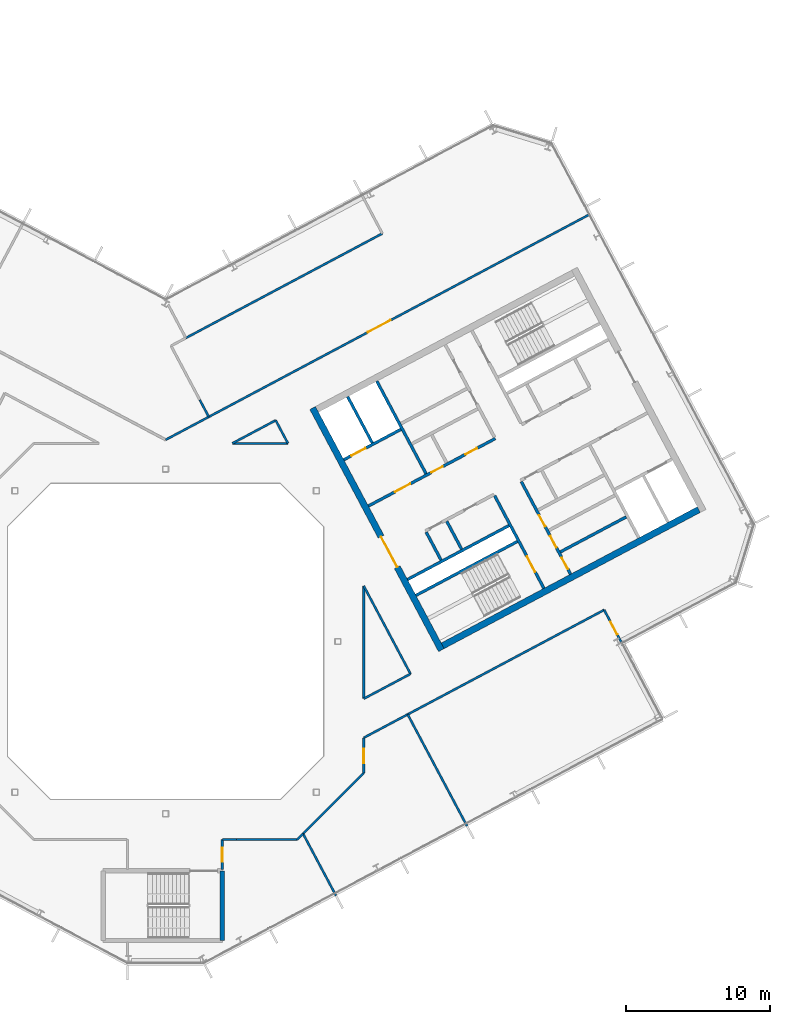
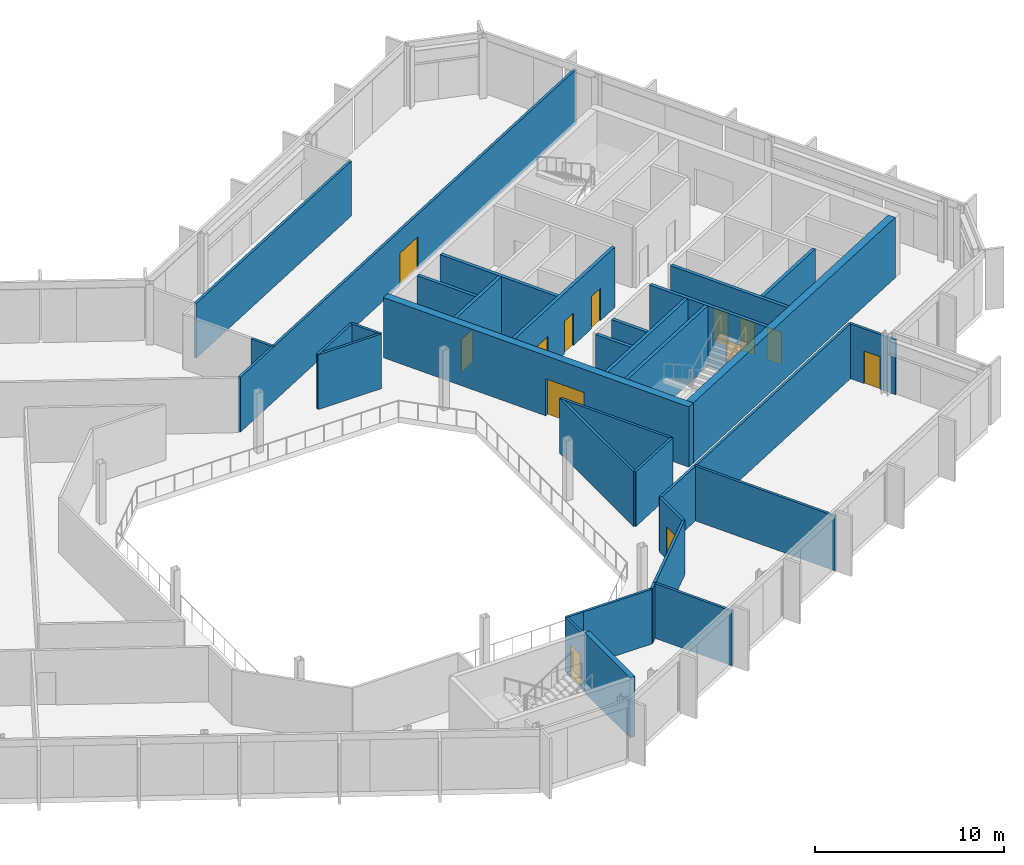
# One storey, part 16 of 26: 33 walls, 13 doors, 13 openings.
"""IFC4 building model written with IfcOpenShell, lengths in metres."""

import ifcopenshell
import ifcopenshell.guid

model = None  # the IFC model being written
_history = None  # IfcOwnerHistory: only IFC2X3 demands one
_inside = {}  # id of a spatial element -> (the spatial element, [elements in it])
_under = {}  # id of a project, library or spatial element -> (it, [spatial elements below it])
_declared = {}  # id of a project -> (the project, [libraries it declares])
_typed = {}  # id of a type object -> (the type object, [elements of that type])
_made_of = {}  # id of a material, layer set ... -> (it, [elements and type objects made of it])


def new_model(schema):
    """Start an empty IFC model of exactly this schema.

    Asked for "IFC4X3", IfcOpenShell would pick the latest addendum, in which some entities
    have other attributes; the version numbers below select the first issue.
    IFC2X3 requires an IfcOwnerHistory on every rooted entity: one is made here for all.
    """
    global model, _history
    if schema == "IFC4X3":
        model = ifcopenshell.file(schema_version=(4, 3, 0, 0))
    else:
        model = ifcopenshell.file(schema=schema)
    _inside.clear()
    _under.clear()
    _declared.clear()
    _typed.clear()
    _made_of.clear()
    _history = None
    if model.schema == "IFC2X3":
        org = make("IfcOrganization", Name="unknown")
        user = make(
            "IfcPersonAndOrganization",
            ThePerson=make("IfcPerson", FamilyName="unknown"),
            TheOrganization=org,
        )
        app = make(
            "IfcApplication",
            ApplicationDeveloper=org,
            Version="unknown",
            ApplicationFullName="unknown",
            ApplicationIdentifier="unknown",
        )
        _history = make(
            "IfcOwnerHistory",
            OwningUser=user,
            OwningApplication=app,
            ChangeAction="ADDED",
            CreationDate=0,
        )
    return model


def make(cls, **values):
    """One entity of the class cls with the attributes given. An attribute that is None is left unset."""
    return model.create_entity(
        cls, **{name: value for name, value in values.items() if value is not None}
    )


def rooted(cls, **values):
    """An entity with a GlobalId (a new one), such as an element, a storey or a relation."""
    return make(cls, GlobalId=ifcopenshell.guid.new(), OwnerHistory=_history, **values)


def si_unit(unit_type, name, prefix=None):
    """IfcSIUnit, for example si_unit("LENGTHUNIT", "METRE", prefix="MILLI")."""
    return make("IfcSIUnit", UnitType=unit_type, Prefix=prefix, Name=name)


def assignment(units):
    """IfcUnitAssignment: the units of a project."""
    return None if units is None else make("IfcUnitAssignment", Units=units)


def point(xyz):
    """IfcCartesianPoint."""
    return None if xyz is None else make("IfcCartesianPoint", Coordinates=xyz)


def direction(xyz):
    """IfcDirection."""
    return None if xyz is None else make("IfcDirection", DirectionRatios=xyz)


def frame(location, z_axis=None, x_axis=None):
    """IfcAxis2Placement3D, a coordinate frame: its origin and axes. An axis left out is left unset."""
    return make(
        "IfcAxis2Placement3D",
        Location=point(location),
        Axis=direction(z_axis),
        RefDirection=direction(x_axis),
    )


def frame_2d(location, x_axis=None):
    """IfcAxis2Placement2D, a coordinate frame in the plane: its origin and x axis."""
    return make(
        "IfcAxis2Placement2D", Location=point(location), RefDirection=direction(x_axis)
    )


def origin():
    """The frame at (0, 0, 0) with its axes left unset."""
    return frame((0.0, 0.0, 0.0))


def place(relative_to, where):
    """IfcLocalPlacement: puts the frame where relative to a parent placement (None: the world)."""
    return make(
        "IfcLocalPlacement", PlacementRelTo=relative_to, RelativePlacement=where
    )


def context(
    kind, dimensions, precision=None, world=None, true_north=None, identifier=None
):
    """IfcGeometricRepresentationContext, for example the 3D "Model" context."""
    return make(
        "IfcGeometricRepresentationContext",
        ContextIdentifier=identifier,
        ContextType=kind,
        CoordinateSpaceDimension=dimensions,
        Precision=precision,
        WorldCoordinateSystem=world,
        TrueNorth=true_north,
    )


def subcontext(parent, identifier, kind, view, scale=None):
    """IfcGeometricRepresentationSubContext, for example "Body" below "Model"."""
    return make(
        "IfcGeometricRepresentationSubContext",
        ContextIdentifier=identifier,
        ContextType=kind,
        ParentContext=parent,
        TargetScale=scale,
        TargetView=view,
    )


def project(units=None, contexts=None):
    """IfcProject with its units and contexts."""
    return rooted(
        "IfcProject",
        Name="project",
        RepresentationContexts=contexts,
        UnitsInContext=assignment(units),
    )


def spatial(cls, under=None, at=None, **own):
    """A site, building, storey or space (cls), placed at a placement, below another one or the project."""
    s = rooted(cls, ObjectPlacement=at, **own)
    if under is not None:
        _under.setdefault(under.id(), (under, []))[1].append(s)
    return s


def profile(cls, at=None, kind="AREA", **sizes):
    """A parametric profile (cls). Its sizes go by their IFC names, for example OverallWidth=200.0."""
    return make(cls, ProfileType=kind, Position=at, **sizes)


def rectangle(**sizes):
    """IfcRectangleProfileDef."""
    return profile("IfcRectangleProfileDef", **sizes)


def extrude(swept, where, along, depth):
    """IfcExtrudedAreaSolid: the profile swept, set in the frame where, extruded along a direction by depth."""
    return make(
        "IfcExtrudedAreaSolid",
        SweptArea=swept,
        Position=where,
        ExtrudedDirection=direction(along),
        Depth=depth,
    )


def shape(context_of_items, identifier, shape_type, items):
    """IfcShapeRepresentation: the items that make up one representation, for example the "Body"."""
    return make(
        "IfcShapeRepresentation",
        ContextOfItems=context_of_items,
        RepresentationIdentifier=identifier,
        RepresentationType=shape_type,
        Items=items,
    )


def material(Name=None, Category=None):
    """IfcMaterial."""
    return make("IfcMaterial", Name=Name, Category=Category)


def layer(
    of_material, thickness, ventilated=None, Name=None, Category=None, Priority=None
):
    """IfcMaterialLayer: one layer of a wall or slab, of a material (None: an air gap)."""
    return make(
        "IfcMaterialLayer",
        Material=of_material,
        LayerThickness=thickness,
        IsVentilated=ventilated,
        Name=Name,
        Category=Category,
        Priority=Priority,
    )


def layer_set(layers, Name=None):
    """IfcMaterialLayerSet."""
    return make("IfcMaterialLayerSet", MaterialLayers=layers, LayerSetName=Name)


def made_of(thing, what):
    """Note that an element or type object is made of a material, layer set ...; save() writes the relation."""
    if what is not None:
        _made_of.setdefault(what.id(), (what, []))[1].append(thing)
    return thing


def type_object(cls, material=None, **own):
    """A type object (cls), such as IfcWallType, which elements share."""
    return made_of(rooted(cls, **own), material)


def element(
    cls,
    number,
    at=None,
    inside=None,
    cuts=None,
    type_object=None,
    material=None,
    context=None,
    identifier="Body",
    shape_type=None,
    held_by="IfcProductDefinitionShape",
    body=None,
    shapes=None,
    **own,
):
    """One element of the class cls, such as IfcWall. Its Tag is "e" and its number.

    at: its placement. inside: the storey or other place that contains it. cuts: it is an
    opening in that element (IfcRelVoidsElement). A single representation is given by context,
    identifier, shape_type and body (its items); several are given by shapes. held_by: the class
    of the entity that holds the representations. save() writes the other relations.
    """
    e = rooted(cls, Tag="e%d" % number, ObjectPlacement=at, **own)
    if body is not None:
        shapes = [shape(context, identifier, shape_type, body)]
    if shapes is not None:
        e.Representation = make(held_by, Representations=shapes)
    if inside is not None:
        _inside.setdefault(inside.id(), (inside, []))[1].append(e)
    if cuts is not None:
        rooted(
            "IfcRelVoidsElement", RelatingBuildingElement=cuts, RelatedOpeningElement=e
        )
    if type_object is not None:
        _typed.setdefault(type_object.id(), (type_object, []))[1].append(e)
    return made_of(e, material)


def fill(opening, filler):
    """IfcRelFillsElement: the door or window that sits in an opening."""
    return rooted(
        "IfcRelFillsElement",
        RelatingOpeningElement=opening,
        RelatedBuildingElement=filler,
    )


def aggregate(whole, parts):
    """IfcRelAggregates: a whole, such as a stair, and the parts it consists of."""
    return rooted("IfcRelAggregates", RelatingObject=whole, RelatedObjects=parts)


def save(model, path):
    """Write the relations noted so far, then the file.

    IfcRelAggregates (storeys below a building ...), IfcRelContainedInSpatialStructure (elements
    in a storey), IfcRelDefinesByType, IfcRelAssociatesMaterial and IfcRelDeclares: one each for
    every whole, place, type object, material and project.
    """
    for whole, parts in _under.values():
        aggregate(whole, parts)
    for where, things in _inside.values():
        rooted(
            "IfcRelContainedInSpatialStructure",
            RelatedElements=things,
            RelatingStructure=where,
        )
    for kind, things in _typed.values():
        rooted("IfcRelDefinesByType", RelatedObjects=things, RelatingType=kind)
    for what, things in _made_of.values():
        rooted("IfcRelAssociatesMaterial", RelatedObjects=things, RelatingMaterial=what)
    for by, libraries in _declared.values():
        rooted("IfcRelDeclares", RelatingContext=by, RelatedDefinitions=libraries)
    model.write(path)


model = new_model("IFC4")

# Units and contexts
model_context = context("Model", 3, precision=1e-05, world=origin(), true_north=direction((0.0, 1.0)))
body_context = subcontext(model_context, "Body", "Model", "MODEL_VIEW")
ifc_project = project(units=[si_unit("LENGTHUNIT", "METRE"), si_unit("AREAUNIT", "SQUARE_METRE"), si_unit("VOLUMEUNIT", "CUBIC_METRE"), si_unit("PLANEANGLEUNIT", "RADIAN"), si_unit("MASSUNIT", "GRAM", prefix="KILO")], contexts=[model_context])

# Site, building, storey
site_placement = place(None, origin())
site = spatial("IfcSite", under=ifc_project, at=site_placement, CompositionType="ELEMENT")
building_placement = place(site_placement, origin())
building = spatial("IfcBuilding", under=site, at=building_placement, Name="Cormorant Relay Tower", CompositionType="ELEMENT")
storey_placement = place(building_placement, frame((0.0, 0.0, 304.800048828125)))
storey = spatial("IfcBuildingStorey", under=building, at=storey_placement, Name="L69", CompositionType="ELEMENT", Elevation=304.800048828125)

# Walls
ifc_material_1 = material(Name="Concrete 40 MPa", Category="concrete")
ifc_layer_1 = layer(ifc_material_1, 0.199951171875)
ifc_layer_set_1 = layer_set([ifc_layer_1], Name="Core internal wall 200")
wall_type_1 = type_object("IfcWallType", Name="Core internal wall 200", PredefinedType="SOLIDWALL", material=ifc_layer_set_1)
wall_1_placement = place(storey_placement, frame((20.614013671875, 6.430419921875, 0.0), z_axis=(0.0, 0.0, 1.0), x_axis=(-0.4694473164, 0.882960484464, 0.0)))
element("IfcWall", 1, at=wall_1_placement, inside=storey, type_object=wall_type_1, Name="L69 core B shaft and room wall", PredefinedType="SOLIDWALL", context=body_context, shape_type="SweptSolid", body=[
    extrude(rectangle(XDim=2.199951171875, YDim=0.199951171875, at=frame_2d((1.10009765625, 0.0))), origin(), (0.0, 0.0, 1.0), 3.89990234375),
])
wall_2_placement = place(storey_placement, frame((27.490234375, 6.23583984375, 0.0), z_axis=(0.0, 0.0, 1.0), x_axis=(0.882953967957, 0.469459572775, 0.0)))
element("IfcWall", 2, at=wall_2_placement, inside=storey, type_object=wall_type_1, Name="L69 core B shaft and room wall", PredefinedType="SOLIDWALL", context=body_context, shape_type="SweptSolid", body=[
    extrude(rectangle(XDim=5.199951171875, YDim=0.199951171875, at=frame_2d((2.60009765625, 0.0))), origin(), (0.0, 0.0, 1.0), 3.89990234375),
])
ifc_material_2 = material(Name="Concrete 50 MPa", Category="concrete")
ifc_layer_2 = layer(ifc_material_2, 0.199951171875)
ifc_layer_set_2 = layer_set([ifc_layer_2], Name="Core shaft wall 200")
wall_type_2 = type_object("IfcWallType", Name="Core shaft wall 200", PredefinedType="SHEAR", material=ifc_layer_set_2)
wall_3_placement = place(storey_placement, frame((14.39404296875, 13.825927734375, 0.0), z_axis=(0.0, 0.0, 1.0), x_axis=(-0.469494272526, 0.882935517501, 0.0)))
element("IfcWall", 3, at=wall_3_placement, inside=storey, type_object=wall_type_2, Name="L69 core B shaft wall", PredefinedType="SHEAR", context=body_context, shape_type="SweptSolid", body=[
    extrude(rectangle(XDim=3.64990234375, YDim=0.199951171875, at=frame_2d((1.824951171875, 0.0))), origin(), (0.0, 0.0, 1.0), 3.89990234375),
])
wall_4_placement = place(storey_placement, frame((19.18359375, 5.669921875, 0.0), z_axis=(0.0, 0.0, 1.0), x_axis=(-0.4694473164, 0.882960484464, 0.0)))
element("IfcWall", 4, at=wall_4_placement, inside=storey, type_object=wall_type_2, Name="L69 core B shaft wall", PredefinedType="SHEAR", context=body_context, shape_type="SweptSolid", body=[
    extrude(rectangle(XDim=2.199951171875, YDim=0.199951171875, at=frame_2d((1.10009765625, 0.0))), origin(), (0.0, 0.0, 1.0), 3.89990234375),
])
wall_5_placement = place(storey_placement, frame((18.138427734375, 11.682861328125, 0.0), z_axis=(0.0, 0.0, 1.0), x_axis=(-0.469480409012, 0.88294288918, 0.0)))
element("IfcWall", 5, at=wall_5_placement, inside=storey, type_object=wall_type_2, Name="L69 core B shaft wall", PredefinedType="SHEAR", context=body_context, shape_type="SweptSolid", body=[
    extrude(rectangle(XDim=7.300048828125, YDim=0.199951171875, at=frame_2d((3.64990234375, 0.0))), origin(), (0.0, 0.0, 1.0), 3.89990234375),
])

# Wall, opening, door
wall_6_placement = place(storey_placement, frame((26.345947265625, 3.701904296875, 0.0), z_axis=(0.0, 0.0, 1.0), x_axis=(-0.469480409012, 0.88294288918, 0.0)))
wall_6 = element("IfcWall", 6, at=wall_6_placement, inside=storey, type_object=wall_type_2, Name="L69 core B shaft wall", PredefinedType="SHEAR", context=body_context, shape_type="SweptSolid", body=[
    extrude(rectangle(XDim=7.300048828125, YDim=0.199951171875, at=frame_2d((3.64990234375, 0.0))), origin(), (0.0, 0.0, 1.0), 3.89990234375),
])
opening_1_placement = place(wall_6_placement, frame((1.300048828125, 0.0, 0.0)))
opening_1 = element("IfcOpeningElement", 7, at=opening_1_placement, cuts=wall_6, Name="Opening CDB-040", PredefinedType="OPENING", context=body_context, shape_type="SweptSolid", body=[
    extrude(rectangle(XDim=1.199951171875, YDim=2.10009765625, at=frame_2d((0.60009765625, 1.050048828125))), frame((0.0, 0.10986328125, 0.0), z_axis=(0.0, -1.0, 0.0), x_axis=(1.0, 0.0, 0.0)), (0.0, 0.0, 1.0), 0.219970703125),
])
ifc_material_3 = material(Name="Steel fire door", Category="steel")
door_type_1 = type_object("IfcDoorType", Name="Core stair door 1200x2100", OperationType="SINGLE_SWING_LEFT", PredefinedType="DOOR", material=ifc_material_3)
door_1_placement = place(opening_1_placement, origin())
door_1 = element("IfcDoor", 8, at=door_1_placement, inside=storey, type_object=door_type_1, Name="Core stair door 1200x2100", OperationType="SINGLE_SWING_RIGHT", OverallHeight=2.10009765625, OverallWidth=1.199951171875, PredefinedType="DOOR", context=body_context, shape_type="SweptSolid", body=[
    extrude(rectangle(XDim=1.199951171875, YDim=2.10009765625, at=frame_2d((0.60009765625, 1.050048828125))), frame((0.0, 0.02490234375, 0.0), z_axis=(0.0, -1.0, 0.0), x_axis=(1.0, 0.0, 0.0)), (0.0, 0.0, 1.0), 0.050048828125),
])
fill(opening_1, door_1)

# Wall, openings, doors
wall_7_placement = place(storey_placement, frame((28.199951171875, 4.687744140625, 0.0), z_axis=(0.0, 0.0, 1.0), x_axis=(-0.469454336211, 0.882956752176, 0.0)))
wall_7 = element("IfcWall", 9, at=wall_7_placement, inside=storey, type_object=wall_type_2, Name="L69 core B shaft wall", PredefinedType="SHEAR", context=body_context, shape_type="SweptSolid", body=[
    extrude(rectangle(XDim=7.300048828125, YDim=0.199951171875, at=frame_2d((3.64990234375, 0.0))), origin(), (0.0, 0.0, 1.0), 3.89990234375),
])
opening_2_placement = place(wall_7_placement, frame((0.39990234375, 0.0, 0.0)))
opening_2 = element("IfcOpeningElement", 10, at=opening_2_placement, cuts=wall_7, Name="Opening CDD-343", PredefinedType="OPENING", context=body_context, shape_type="SweptSolid", body=[
    extrude(rectangle(XDim=0.89990234375, YDim=2.10009765625, at=frame_2d((0.449951171875, 1.050048828125))), frame((0.0, 0.10986328125, 0.0), z_axis=(0.0, -1.0, 0.0), x_axis=(1.0, 0.0, 0.0)), (0.0, 0.0, 1.0), 0.219970703125),
])
opening_3_placement = place(wall_7_placement, frame((2.10009765625, 0.0, 0.0)))
opening_3 = element("IfcOpeningElement", 11, at=opening_3_placement, cuts=wall_7, Name="Opening CDD-344", PredefinedType="OPENING", context=body_context, shape_type="SweptSolid", body=[
    extrude(rectangle(XDim=0.89990234375, YDim=2.10009765625, at=frame_2d((0.449951171875, 1.050048828125))), frame((0.0, 0.10986328125, 0.0), z_axis=(0.0, -1.0, 0.0), x_axis=(1.0, 0.0, 0.0)), (0.0, 0.0, 1.0), 0.219970703125),
])
opening_4_placement = place(wall_7_placement, frame((3.75, 0.0, 0.0)))
opening_4 = element("IfcOpeningElement", 12, at=opening_4_placement, cuts=wall_7, Name="Opening CDD-253", PredefinedType="OPENING", context=body_context, shape_type="SweptSolid", body=[
    extrude(rectangle(XDim=0.89990234375, YDim=2.10009765625, at=frame_2d((0.449951171875, 1.050048828125))), frame((0.0, 0.10986328125, 0.0), z_axis=(0.0, -1.0, 0.0), x_axis=(1.0, 0.0, 0.0)), (0.0, 0.0, 1.0), 0.219970703125),
])
ifc_material_4 = material(Name="Steel fire door", Category="steel")
door_type_2 = type_object("IfcDoorType", Name="Core room door 900x2100", OperationType="SINGLE_SWING_LEFT", PredefinedType="DOOR", material=ifc_material_4)
door_2_placement = place(opening_2_placement, frame((0.89990234375, 0.0, 0.0), z_axis=(0.0, 0.0, 1.0), x_axis=(-1.0, 0.0, 0.0)))
door_2 = element("IfcDoor", 13, at=door_2_placement, inside=storey, type_object=door_type_2, Name="Core room door 900x2100", OperationType="SINGLE_SWING_LEFT", OverallHeight=2.10009765625, OverallWidth=0.89990234375, PredefinedType="DOOR", context=body_context, shape_type="SweptSolid", body=[
    extrude(rectangle(XDim=0.89990234375, YDim=2.10009765625, at=frame_2d((0.449951171875, 1.050048828125))), frame((0.0, 0.02490234375, 0.0), z_axis=(0.0, -1.0, 0.0), x_axis=(1.0, 0.0, 0.0)), (0.0, 0.0, 1.0), 0.050048828125),
])
fill(opening_2, door_2)
door_3_placement = place(opening_3_placement, frame((0.89990234375, 0.0, 0.0), z_axis=(0.0, 0.0, 1.0), x_axis=(-1.0, 0.0, 0.0)))
door_3 = element("IfcDoor", 14, at=door_3_placement, inside=storey, type_object=door_type_2, Name="Core room door 900x2100", OperationType="SINGLE_SWING_LEFT", OverallHeight=2.10009765625, OverallWidth=0.89990234375, PredefinedType="DOOR", context=body_context, shape_type="SweptSolid", body=[
    extrude(rectangle(XDim=0.89990234375, YDim=2.10009765625, at=frame_2d((0.449951171875, 1.050048828125))), frame((0.0, 0.02490234375, 0.0), z_axis=(0.0, -1.0, 0.0), x_axis=(1.0, 0.0, 0.0)), (0.0, 0.0, 1.0), 0.050048828125),
])
fill(opening_3, door_3)
door_4_placement = place(opening_4_placement, frame((0.89990234375, 0.0, 0.0), z_axis=(0.0, 0.0, 1.0), x_axis=(-1.0, 0.0, 0.0)))
door_4 = element("IfcDoor", 15, at=door_4_placement, inside=storey, type_object=door_type_2, Name="Core room door 900x2100", OperationType="SINGLE_SWING_LEFT", OverallHeight=2.10009765625, OverallWidth=0.89990234375, PredefinedType="DOOR", context=body_context, shape_type="SweptSolid", body=[
    extrude(rectangle(XDim=0.89990234375, YDim=2.10009765625, at=frame_2d((0.449951171875, 1.050048828125))), frame((0.0, 0.02490234375, 0.0), z_axis=(0.0, -1.0, 0.0), x_axis=(1.0, 0.0, 0.0)), (0.0, 0.0, 1.0), 0.050048828125),
])
fill(opening_4, door_4)

# Walls
for number, where, z_axis, x_axis, name in (
    (16, (17.43359375, 3.210205078125, 0.0), (0.0, 0.0, 1.0), (0.882940221191, 0.469485426614, 0.0), "L69 core B shaft wall"),
    (17, (16.8466796875, 4.31396484375, 0.0), (0.0, 0.0, 1.0), (0.882940221191, 0.469485426614, 0.0), "L69 core B shaft wall"),
):
    element("IfcWall", number, at=place(storey_placement, frame(where, z_axis=z_axis, x_axis=x_axis)), inside=storey, type_object=wall_type_2, Name=name, PredefinedType="SHEAR", context=body_context, shape_type="SweptSolid", body=[
        extrude(rectangle(XDim=8.0, YDim=0.199951171875, at=frame_2d((4.0, 0.0))), origin(), (0.0, 0.0, 1.0), 3.89990234375),
    ])

# Wall, openings, doors
wall_8_placement = place(storey_placement, frame((14.123779296875, 9.43505859375, 0.0), z_axis=(0.0, 0.0, 1.0), x_axis=(0.882940221191, 0.469485426614, 0.0)))
wall_8 = element("IfcWall", 18, at=wall_8_placement, inside=storey, type_object=wall_type_2, Name="L69 core B shaft wall", PredefinedType="SHEAR", context=body_context, shape_type="SweptSolid", body=[
    extrude(rectangle(XDim=10.0, YDim=0.199951171875, at=frame_2d((5.0, 0.0))), origin(), (0.0, 0.0, 1.0), 3.89990234375),
])
opening_5_placement = place(wall_8_placement, frame((2.10009765625, 0.0, 0.0)))
opening_5 = element("IfcOpeningElement", 19, at=opening_5_placement, cuts=wall_8, Name="Opening CDC-037", PredefinedType="OPENING", context=body_context, shape_type="SweptSolid", body=[
    extrude(rectangle(XDim=1.199951171875, YDim=2.10009765625, at=frame_2d((0.60009765625, 1.050048828125))), frame((0.0, 0.10986328125, 0.0), z_axis=(0.0, -1.0, 0.0), x_axis=(1.0, 0.0, 0.0)), (0.0, 0.0, 1.0), 0.219970703125),
])
opening_6_placement = place(wall_8_placement, frame((4.9599609375, 0.0, 0.0)))
opening_6 = element("IfcOpeningElement", 20, at=opening_6_placement, cuts=wall_8, Name="Opening CDD-293", PredefinedType="OPENING", context=body_context, shape_type="SweptSolid", body=[
    extrude(rectangle(XDim=0.89990234375, YDim=2.10009765625, at=frame_2d((0.449951171875, 1.050048828125))), frame((0.0, 0.10986328125, 0.0), z_axis=(0.0, -1.0, 0.0), x_axis=(1.0, 0.0, 0.0)), (0.0, 0.0, 1.0), 0.219970703125),
])
opening_7_placement = place(wall_8_placement, frame((7.659912109375, 0.0, 0.0)))
opening_7 = element("IfcOpeningElement", 21, at=opening_7_placement, cuts=wall_8, Name="Opening CDD-272", PredefinedType="OPENING", context=body_context, shape_type="SweptSolid", body=[
    extrude(rectangle(XDim=0.89990234375, YDim=2.10009765625, at=frame_2d((0.449951171875, 1.050048828125))), frame((0.0, 0.10986328125, 0.0), z_axis=(0.0, -1.0, 0.0), x_axis=(1.0, 0.0, 0.0)), (0.0, 0.0, 1.0), 0.219970703125),
])
ifc_material_5 = material(Name="Steel fire door", Category="steel")
door_type_3 = type_object("IfcDoorType", Name="Core lobby door 1200x2100", OperationType="SINGLE_SWING_LEFT", PredefinedType="DOOR", material=ifc_material_5)
door_5_placement = place(opening_5_placement, origin())
door_5 = element("IfcDoor", 22, at=door_5_placement, inside=storey, type_object=door_type_3, Name="Core lobby door 1200x2100", OperationType="SINGLE_SWING_RIGHT", OverallHeight=2.10009765625, OverallWidth=1.199951171875, PredefinedType="DOOR", context=body_context, shape_type="SweptSolid", body=[
    extrude(rectangle(XDim=1.199951171875, YDim=2.10009765625, at=frame_2d((0.60009765625, 1.050048828125))), frame((0.0, 0.02490234375, 0.0), z_axis=(0.0, -1.0, 0.0), x_axis=(1.0, 0.0, 0.0)), (0.0, 0.0, 1.0), 0.050048828125),
])
fill(opening_5, door_5)
door_6_placement = place(opening_6_placement, origin())
door_6 = element("IfcDoor", 23, at=door_6_placement, inside=storey, type_object=door_type_2, Name="Core room door 900x2100", OperationType="SINGLE_SWING_LEFT", OverallHeight=2.10009765625, OverallWidth=0.89990234375, PredefinedType="DOOR", context=body_context, shape_type="SweptSolid", body=[
    extrude(rectangle(XDim=0.89990234375, YDim=2.10009765625, at=frame_2d((0.449951171875, 1.050048828125))), frame((0.0, 0.02490234375, 0.0), z_axis=(0.0, -1.0, 0.0), x_axis=(1.0, 0.0, 0.0)), (0.0, 0.0, 1.0), 0.050048828125),
])
fill(opening_6, door_6)
door_7_placement = place(opening_7_placement, origin())
door_7 = element("IfcDoor", 24, at=door_7_placement, inside=storey, type_object=door_type_2, Name="Core room door 900x2100", OperationType="SINGLE_SWING_LEFT", OverallHeight=2.10009765625, OverallWidth=0.89990234375, PredefinedType="DOOR", context=body_context, shape_type="SweptSolid", body=[
    extrude(rectangle(XDim=0.89990234375, YDim=2.10009765625, at=frame_2d((0.449951171875, 1.050048828125))), frame((0.0, 0.02490234375, 0.0), z_axis=(0.0, -1.0, 0.0), x_axis=(1.0, 0.0, 0.0)), (0.0, 0.0, 1.0), 0.050048828125),
])
fill(opening_7, door_7)

# Wall, opening, door
wall_9_placement = place(storey_placement, frame((12.41015625, 12.657958984375, 0.0), z_axis=(0.0, 0.0, 1.0), x_axis=(0.8829484765, 0.469469900894, 0.0)))
wall_9 = element("IfcWall", 25, at=wall_9_placement, inside=storey, type_object=wall_type_2, Name="L69 core B shaft wall", PredefinedType="SHEAR", context=body_context, shape_type="SweptSolid", body=[
    extrude(rectangle(XDim=4.499755859375, YDim=0.199951171875, at=frame_2d((2.25, 0.0))), origin(), (0.0, 0.0, 1.0), 3.89990234375),
])
opening_8_placement = place(wall_9_placement, frame((0.60009765625, 0.0, 0.0)))
opening_8 = element("IfcOpeningElement", 26, at=opening_8_placement, cuts=wall_9, Name="Opening LD1-064", PredefinedType="OPENING", context=body_context, shape_type="SweptSolid", body=[
    extrude(rectangle(XDim=1.10009765625, YDim=2.10009765625, at=frame_2d((0.550048828125, 1.050048828125))), frame((0.0, 0.10986328125, 0.0), z_axis=(0.0, -1.0, 0.0), x_axis=(1.0, 0.0, 0.0)), (0.0, 0.0, 1.0), 0.219970703125),
])
ifc_material_6 = material(Name="Stainless steel 316", Category="steel")
door_type_4 = type_object("IfcDoorType", Name="Lift landing door 1100x2100", OperationType="DOUBLE_DOOR_SLIDING", PredefinedType="DOOR", material=ifc_material_6)
door_8_placement = place(opening_8_placement, origin())
door_8 = element("IfcDoor", 27, at=door_8_placement, inside=storey, type_object=door_type_4, Name="FF2 landing door", OperationType="DOUBLE_DOOR_SLIDING", OverallHeight=2.10009765625, OverallWidth=1.10009765625, PredefinedType="DOOR", context=body_context, shape_type="SweptSolid", body=[
    extrude(rectangle(XDim=1.10009765625, YDim=2.10009765625, at=frame_2d((0.550048828125, 1.050048828125))), frame((0.0, 0.02490234375, 0.0), z_axis=(0.0, -1.0, 0.0), x_axis=(1.0, 0.0, 0.0)), (0.0, 0.0, 1.0), 0.050048828125),
])
fill(opening_8, door_8)

ifc_material_7 = material(Name="Concrete 50 MPa", Category="concrete")
ifc_layer_3 = layer(ifc_material_7, 0.449951171875)
ifc_layer_set_3 = layer_set([ifc_layer_3], Name="Core wall 450")
wall_type_3 = type_object("IfcWallType", Name="Core wall 450", PredefinedType="SHEAR", material=ifc_layer_set_3)
wall_10_placement = place(storey_placement, frame((19.20654296875, -0.603759765625, 0.0), z_axis=(0.0, 0.0, 1.0), x_axis=(-0.469467968382, 0.882949504028, 0.0)))
wall_10 = element("IfcWall", 28, at=wall_10_placement, inside=storey, type_object=wall_type_3, Name="L69 core B wall", PredefinedType="SHEAR", context=body_context, shape_type="SweptSolid", body=[
    extrude(rectangle(XDim=19.099853515625, YDim=0.449951171875, at=frame_2d((9.5498046875, 0.0))), origin(), (0.0, 0.0, 1.0), 3.89990234375),
])
opening_9_placement = place(wall_10_placement, frame((6.550048828125, 0.0, 0.0)))
opening_9 = element("IfcOpeningElement", 29, at=opening_9_placement, cuts=wall_10, Name="Opening CDA-055", PredefinedType="OPENING", context=body_context, shape_type="SweptSolid", body=[
    extrude(rectangle(XDim=2.39990234375, YDim=2.39990234375, at=frame_2d((1.199951171875, 1.199951171875))), frame((0.0, 0.23486328125, 0.0), z_axis=(0.0, -1.0, 0.0), x_axis=(1.0, 0.0, 0.0)), (0.0, 0.0, 1.0), 0.469970703125),
])
ifc_material_8 = material(Name="Steel fire door", Category="steel")
door_type_5 = type_object("IfcDoorType", Name="Core lobby door 2400x2400", OperationType="DOUBLE_DOOR_SINGLE_SWING", PredefinedType="DOOR", material=ifc_material_8)
door_9_placement = place(opening_9_placement, origin())
door_9 = element("IfcDoor", 30, at=door_9_placement, inside=storey, type_object=door_type_5, Name="Core lobby door 2400x2400", OperationType="DOUBLE_DOOR_SINGLE_SWING", OverallHeight=2.39990234375, OverallWidth=2.39990234375, PredefinedType="DOOR", context=body_context, shape_type="SweptSolid", body=[
    extrude(rectangle(XDim=2.39990234375, YDim=2.39990234375, at=frame_2d((1.199951171875, 1.199951171875))), frame((0.0, 0.02490234375, 0.0), z_axis=(0.0, -1.0, 0.0), x_axis=(1.0, 0.0, 0.0)), (0.0, 0.0, 1.0), 0.050048828125),
])
fill(opening_9, door_9)

# Wall
wall_11_placement = place(storey_placement, frame((19.299560546875, -0.29931640625, 0.0), z_axis=(0.0, 0.0, 1.0), x_axis=(0.88295276571, 0.46946183394, 0.0)))
element("IfcWall", 31, at=wall_11_placement, inside=storey, type_object=wall_type_3, Name="L69 core B wall", PredefinedType="SHEAR", context=body_context, shape_type="SweptSolid", body=[
    extrude(rectangle(XDim=20.199951171875, YDim=0.449951171875, at=frame_2d((10.10009765625, 0.0))), origin(), (0.0, 0.0, 1.0), 3.89990234375),
])

# Wall, opening, door
ifc_material_9 = material(Name="Gypsum board fire partition")
ifc_layer_4 = layer(ifc_material_9, 0.14990234375)
ifc_layer_set_4 = layer_set([ifc_layer_4], Name="Corridor partition 150 EI 60")
wall_type_4 = type_object("IfcWallType", Name="Corridor partition 150 EI 60", PredefinedType="PARTITIONING", material=ifc_layer_set_4)
wall_12_placement = place(storey_placement, frame((0.0, 14.0439453125, 0.0), z_axis=(0.0, 0.0, 1.0), x_axis=(0.882952097871, 0.469463089992, 0.0)))
wall_12 = element("IfcWall", 32, at=wall_12_placement, inside=storey, type_object=wall_type_4, Name="wall/L69/part/009", PredefinedType="PARTITIONING", context=body_context, shape_type="SweptSolid", body=[
    extrude(rectangle(XDim=33.606689453125, YDim=0.14990234375, at=frame_2d((16.80322265625, 0.0))), origin(), (0.0, 0.0, 1.0), 3.5400390625),
])
opening_10_placement = place(wall_12_placement, frame((15.949951171875, 0.0, 0.0)))
opening_10 = element("IfcOpeningElement", 33, at=opening_10_placement, cuts=wall_12, Name="Opening DD-041", PredefinedType="OPENING", context=body_context, shape_type="SweptSolid", body=[
    extrude(rectangle(XDim=1.800048828125, YDim=2.10009765625, at=frame_2d((0.89990234375, 1.050048828125))), frame((0.0, 0.0849609375, 0.0), z_axis=(0.0, -1.0, 0.0), x_axis=(1.0, 0.0, 0.0)), (0.0, 0.0, 1.0), 0.169921875),
])
ifc_material_10 = material(Name="Timber door leaf", Category="wood")
door_type_6 = type_object("IfcDoorType", Name="Suite double door 1800x2100", OperationType="DOUBLE_DOOR_SINGLE_SWING", PredefinedType="DOOR", material=ifc_material_10)
door_10_placement = place(opening_10_placement, frame((1.800048828125, 0.0, 0.0), z_axis=(0.0, 0.0, 1.0), x_axis=(-1.0, 0.0, 0.0)))
door_10 = element("IfcDoor", 34, at=door_10_placement, inside=storey, type_object=door_type_6, Name="door/L69/012", OperationType="DOUBLE_DOOR_SINGLE_SWING", OverallHeight=2.10009765625, OverallWidth=1.800048828125, PredefinedType="DOOR", context=body_context, shape_type="SweptSolid", body=[
    extrude(rectangle(XDim=1.800048828125, YDim=2.10009765625, at=frame_2d((0.89990234375, 1.050048828125))), frame((0.0, 0.02490234375, 0.0), z_axis=(0.0, -1.0, 0.0), x_axis=(1.0, 0.0, 0.0)), (0.0, 0.0, 1.0), 0.050048828125),
])
fill(opening_10, door_10)

# Wall
wall_13_placement = place(storey_placement, frame((4.9541015625, -13.800048828125, 0.0), z_axis=(0.0, 0.0, 1.0), x_axis=(-1.0, 0.0, 0.0)))
element("IfcWall", 35, at=wall_13_placement, inside=storey, type_object=wall_type_4, Name="wall/L69/part/033", PredefinedType="PARTITIONING", context=body_context, shape_type="SweptSolid", body=[
    extrude(rectangle(XDim=1.004150390625, YDim=0.14990234375, at=frame_2d((0.501953125, 0.0))), origin(), (0.0, 0.0, 1.0), 3.5400390625),
])

# Wall, opening, door
wall_14_placement = place(storey_placement, frame((3.949951171875, -13.800048828125, 0.0), z_axis=(0.0, 0.0, 1.0), x_axis=(0.0, -1.0, 0.0)))
wall_14 = element("IfcWall", 36, at=wall_14_placement, inside=storey, type_object=wall_type_4, Name="wall/L69/part/034", PredefinedType="PARTITIONING", context=body_context, shape_type="SweptSolid", body=[
    extrude(rectangle(XDim=2.074951171875, YDim=0.14990234375, at=frame_2d((1.03759765625, 0.0))), origin(), (0.0, 0.0, 1.0), 3.5400390625),
])
opening_11_placement = place(wall_14_placement, frame((0.550048828125, 0.0, 0.0)))
opening_11 = element("IfcOpeningElement", 37, at=opening_11_placement, cuts=wall_14, Name="Opening DS-107", PredefinedType="OPENING", context=body_context, shape_type="SweptSolid", body=[
    extrude(rectangle(XDim=1.0, YDim=2.10009765625, at=frame_2d((0.5, 1.050048828125))), frame((0.0, 0.0849609375, 0.0), z_axis=(0.0, -1.0, 0.0), x_axis=(1.0, 0.0, 0.0)), (0.0, 0.0, 1.0), 0.169921875),
])
ifc_material_11 = material(Name="Timber door leaf", Category="wood")
door_type_7 = type_object("IfcDoorType", Name="Suite door 1000x2100", OperationType="SINGLE_SWING_LEFT", PredefinedType="DOOR", material=ifc_material_11)
door_11_placement = place(opening_11_placement, origin())
door_11 = element("IfcDoor", 38, at=door_11_placement, inside=storey, type_object=door_type_7, Name="door/L69/005", OperationType="SINGLE_SWING_LEFT", OverallHeight=2.10009765625, OverallWidth=1.0, PredefinedType="DOOR", context=body_context, shape_type="SweptSolid", body=[
    extrude(rectangle(XDim=1.0, YDim=2.10009765625, at=frame_2d((0.5, 1.050048828125))), frame((0.0, 0.02490234375, 0.0), z_axis=(0.0, -1.0, 0.0), x_axis=(1.0, 0.0, 0.0)), (0.0, 0.0, 1.0), 0.050048828125),
])
fill(opening_11, door_11)

# Walls
wall_15_placement = place(storey_placement, frame((9.159912109375, -13.800048828125, 0.0), z_axis=(0.0, 0.0, 1.0), x_axis=(-1.0, 0.0, 0.0)))
element("IfcWall", 39, at=wall_15_placement, inside=storey, type_object=wall_type_4, Name="wall/L69/part/035", PredefinedType="PARTITIONING", context=body_context, shape_type="SweptSolid", body=[
    extrude(rectangle(XDim=4.205810546875, YDim=0.14990234375, at=frame_2d((2.10302734375, 0.0))), origin(), (0.0, 0.0, 1.0), 3.5400390625),
])
wall_16_placement = place(storey_placement, frame((9.158935546875, -13.800048828125, 0.0), z_axis=(0.0, 0.0, 1.0), x_axis=(0.707945081169, 0.70626748619, 0.0)))
element("IfcWall", 40, at=wall_16_placement, inside=storey, type_object=wall_type_4, Name="wall/L69/part/036", PredefinedType="PARTITIONING", context=body_context, shape_type="SweptSolid", body=[
    extrude(rectangle(XDim=0.58203125, YDim=0.14990234375, at=frame_2d((0.291015625, 0.0))), origin(), (0.0, 0.0, 1.0), 3.5400390625),
])

# Wall, opening, door
wall_17_placement = place(storey_placement, frame((13.800048828125, -6.722900390625, 0.0), z_axis=(0.0, 0.0, 1.0), x_axis=(0.0, -1.0, 0.0)))
wall_17 = element("IfcWall", 41, at=wall_17_placement, inside=storey, type_object=wall_type_4, Name="wall/L69/part/038", PredefinedType="PARTITIONING", context=body_context, shape_type="SweptSolid", body=[
    extrude(rectangle(XDim=2.43701171875, YDim=0.14990234375, at=frame_2d((1.218505859375, 0.0))), origin(), (0.0, 0.0, 1.0), 3.5400390625),
])
opening_12_placement = place(wall_17_placement, frame((0.75, 0.0, 0.0)))
opening_12 = element("IfcOpeningElement", 42, at=opening_12_placement, cuts=wall_17, Name="Opening DS-235", PredefinedType="OPENING", context=body_context, shape_type="SweptSolid", body=[
    extrude(rectangle(XDim=1.0, YDim=2.10009765625, at=frame_2d((0.5, 1.050048828125))), frame((0.0, 0.0849609375, 0.0), z_axis=(0.0, -1.0, 0.0), x_axis=(1.0, 0.0, 0.0)), (0.0, 0.0, 1.0), 0.169921875),
])
door_12_placement = place(opening_12_placement, frame((1.0, 0.0, 0.0), z_axis=(0.0, 0.0, 1.0), x_axis=(-1.0, 0.0, 0.0)))
door_12 = element("IfcDoor", 43, at=door_12_placement, inside=storey, type_object=door_type_7, Name="door/L69/006", OperationType="SINGLE_SWING_LEFT", OverallHeight=2.10009765625, OverallWidth=1.0, PredefinedType="DOOR", context=body_context, shape_type="SweptSolid", body=[
    extrude(rectangle(XDim=1.0, YDim=2.10009765625, at=frame_2d((0.5, 1.050048828125))), frame((0.0, 0.02490234375, 0.0), z_axis=(0.0, -1.0, 0.0), x_axis=(1.0, 0.0, 0.0)), (0.0, 0.0, 1.0), 0.050048828125),
])
fill(opening_12, door_12)

# Wall
wall_18_placement = place(storey_placement, frame((13.800048828125, -9.159912109375, 0.0), z_axis=(0.0, 0.0, 1.0), x_axis=(-0.707187736796, -0.707025816307, 0.0)))
element("IfcWall", 44, at=wall_18_placement, inside=storey, type_object=wall_type_4, Name="wall/L69/part/039", PredefinedType="PARTITIONING", context=body_context, shape_type="SweptSolid", body=[
    extrude(rectangle(XDim=6.031005859375, YDim=0.14990234375, at=frame_2d((3.015625, 0.0))), origin(), (0.0, 0.0, 1.0), 3.5400390625),
])

# Wall, opening, door
wall_19_placement = place(storey_placement, frame((31.89697265625, -0.346923828125, 0.0), z_axis=(0.0, 0.0, 1.0), x_axis=(-0.469576437406, 0.882891822045, 0.0)))
wall_19 = element("IfcWall", 45, at=wall_19_placement, inside=storey, type_object=wall_type_4, Name="wall/L69/part/041", PredefinedType="PARTITIONING", context=body_context, shape_type="SweptSolid", body=[
    extrude(rectangle(XDim=2.88134765625, YDim=0.14990234375, at=frame_2d((1.440673828125, 0.0))), origin(), (0.0, 0.0, 1.0), 3.5400390625),
])
opening_13_placement = place(wall_19_placement, frame((0.949951171875, 0.0, 0.0)))
opening_13 = element("IfcOpeningElement", 46, at=opening_13_placement, cuts=wall_19, Name="Opening DS-204", PredefinedType="OPENING", context=body_context, shape_type="SweptSolid", body=[
    extrude(rectangle(XDim=1.0, YDim=2.10009765625, at=frame_2d((0.5, 1.050048828125))), frame((0.0, 0.0849609375, 0.0), z_axis=(0.0, -1.0, 0.0), x_axis=(1.0, 0.0, 0.0)), (0.0, 0.0, 1.0), 0.169921875),
])
door_13_placement = place(opening_13_placement, origin())
door_13 = element("IfcDoor", 47, at=door_13_placement, inside=storey, type_object=door_type_7, Name="door/L69/007", OperationType="SINGLE_SWING_LEFT", OverallHeight=2.10009765625, OverallWidth=1.0, PredefinedType="DOOR", context=body_context, shape_type="SweptSolid", body=[
    extrude(rectangle(XDim=1.0, YDim=2.10009765625, at=frame_2d((0.5, 1.050048828125))), frame((0.0, 0.02490234375, 0.0), z_axis=(0.0, -1.0, 0.0), x_axis=(1.0, 0.0, 0.0)), (0.0, 0.0, 1.0), 0.050048828125),
])
fill(opening_13, door_13)

# Walls
wall_20_placement = place(storey_placement, frame((30.5439453125, 2.197021484375, 0.0), z_axis=(0.0, 0.0, 1.0), x_axis=(-0.88294347275, -0.469479311502, 0.0)))
element("IfcWall", 48, at=wall_20_placement, inside=storey, type_object=wall_type_4, Name="wall/L69/part/042", PredefinedType="PARTITIONING", context=body_context, shape_type="SweptSolid", body=[
    extrude(rectangle(XDim=18.963623046875, YDim=0.14990234375, at=frame_2d((9.48193359375, 0.0))), origin(), (0.0, 0.0, 1.0), 3.5400390625),
])
wall_21_placement = place(storey_placement, frame((7.6669921875, 15.402099609375, 0.0), z_axis=(0.0, 0.0, 1.0), x_axis=(-0.883005489543, -0.469362658759, 0.0)))
element("IfcWall", 49, at=wall_21_placement, inside=storey, type_object=wall_type_4, Name="wall/L69/part/052", PredefinedType="PARTITIONING", context=body_context, shape_type="SweptSolid", body=[
    extrude(rectangle(XDim=3.413330078125, YDim=0.14990234375, at=frame_2d((1.70654296875, 0.0))), origin(), (0.0, 0.0, 1.0), 3.5400390625),
])
wall_22_placement = place(storey_placement, frame((4.653076171875, 13.800048828125, 0.0), z_axis=(0.0, 0.0, 1.0), x_axis=(1.0, 0.0, 0.0)))
element("IfcWall", 50, at=wall_22_placement, inside=storey, type_object=wall_type_4, Name="wall/L69/part/053", PredefinedType="PARTITIONING", context=body_context, shape_type="SweptSolid", body=[
    extrude(rectangle(XDim=3.864990234375, YDim=0.14990234375, at=frame_2d((1.9326171875, 0.0))), origin(), (0.0, 0.0, 1.0), 3.5400390625),
])
wall_23_placement = place(storey_placement, frame((8.51806640625, 13.800048828125, 0.0), z_axis=(0.0, 0.0, 1.0), x_axis=(-0.469148666032, 0.883119204389, 0.0)))
element("IfcWall", 51, at=wall_23_placement, inside=storey, type_object=wall_type_4, Name="wall/L69/part/054", PredefinedType="PARTITIONING", context=body_context, shape_type="SweptSolid", body=[
    extrude(rectangle(XDim=1.81396484375, YDim=0.14990234375, at=frame_2d((0.906982421875, 0.0))), origin(), (0.0, 0.0, 1.0), 3.5400390625),
])
wall_24_placement = place(storey_placement, frame((13.800048828125, -3.988037109375, 0.0), z_axis=(0.0, 0.0, 1.0), x_axis=(0.882971660552, 0.469426295239, 0.0)))
element("IfcWall", 52, at=wall_24_placement, inside=storey, type_object=wall_type_4, Name="wall/L69/part/055", PredefinedType="PARTITIONING", context=body_context, shape_type="SweptSolid", body=[
    extrude(rectangle(XDim=3.6875, YDim=0.14990234375, at=frame_2d((1.84375, 0.0))), origin(), (0.0, 0.0, 1.0), 3.5400390625),
])
wall_25_placement = place(storey_placement, frame((17.055908203125, -2.257080078125, 0.0), z_axis=(0.0, 0.0, 1.0), x_axis=(-0.469433160251, 0.882968010778, 0.0)))
element("IfcWall", 53, at=wall_25_placement, inside=storey, type_object=wall_type_4, Name="wall/L69/part/056", PredefinedType="PARTITIONING", context=body_context, shape_type="SweptSolid", body=[
    extrude(rectangle(XDim=6.935791015625, YDim=0.14990234375, at=frame_2d((3.4677734375, 0.0))), origin(), (0.0, 0.0, 1.0), 3.5400390625),
])
wall_26_placement = place(storey_placement, frame((13.800048828125, 3.866943359375, 0.0), z_axis=(0.0, 0.0, 1.0), x_axis=(0.0, -1.0, 0.0)))
element("IfcWall", 54, at=wall_26_placement, inside=storey, type_object=wall_type_4, Name="wall/L69/part/057", PredefinedType="PARTITIONING", context=body_context, shape_type="SweptSolid", body=[
    extrude(rectangle(XDim=7.85498046875, YDim=0.14990234375, at=frame_2d((3.927490234375, 0.0))), origin(), (0.0, 0.0, 1.0), 3.5400390625),
])
ifc_material_12 = material(Name="Concrete 50 MPa", Category="concrete")
ifc_layer_5 = layer(ifc_material_12, 0.300048828125)
ifc_layer_set_5 = layer_set([ifc_layer_5], Name="Remote stair wall 300")
wall_type_5 = type_object("IfcWallType", Name="Remote stair wall 300", PredefinedType="SHEAR", material=ifc_layer_set_5)
wall_27_placement = place(storey_placement, frame((3.949951171875, -15.97509765625, 0.0), z_axis=(0.0, 0.0, 1.0), x_axis=(0.0, -1.0, 0.0)))
element("IfcWall", 55, at=wall_27_placement, inside=storey, type_object=wall_type_5, Name="L69 exit stair RK1 wall", PredefinedType="SHEAR", context=body_context, shape_type="SweptSolid", body=[
    extrude(rectangle(XDim=4.849853515625, YDim=0.300048828125, at=frame_2d((2.4248046875, 0.0))), origin(), (0.0, 0.0, 1.0), 3.89990234375),
])
ifc_material_13 = material(Name="Gypsum board partition")
ifc_layer_6 = layer(ifc_material_13, 0.14990234375)
ifc_layer_set_6 = layer_set([ifc_layer_6], Name="Tenant partition 150")
wall_type_6 = type_object("IfcWallType", Name="Tenant partition 150", PredefinedType="PARTITIONING", material=ifc_layer_set_6)
wall_28_placement = place(storey_placement, frame((2.3798828125, 16.824951171875, 0.0), z_axis=(0.0, 0.0, 1.0), x_axis=(0.469328592165, -0.88302359684, 0.0)))
element("IfcWall", 56, at=wall_28_placement, inside=storey, type_object=wall_type_6, Name="wall/L69/part/025", PredefinedType="PARTITIONING", context=body_context, shape_type="SweptSolid", body=[
    extrude(rectangle(XDim=1.33837890625, YDim=0.14990234375, at=frame_2d((0.669189453125, 0.0))), origin(), (0.0, 0.0, 1.0), 3.5400390625),
])
wall_29_placement = place(storey_placement, frame((1.405029296875, 21.133056640625, 0.0), z_axis=(0.0, 0.0, 1.0), x_axis=(0.882934197132, 0.469496755618, 0.0)))
element("IfcWall", 57, at=wall_29_placement, inside=storey, type_object=wall_type_6, Name="wall/L69/part/029", PredefinedType="PARTITIONING", context=body_context, shape_type="SweptSolid", body=[
    extrude(rectangle(XDim=15.50390625, YDim=0.14990234375, at=frame_2d((7.751953125, 0.0))), origin(), (0.0, 0.0, 1.0), 3.5400390625),
])
wall_30_placement = place(storey_placement, frame((9.572998046875, -13.386962890625, 0.0), z_axis=(0.0, 0.0, 1.0), x_axis=(0.469342774431, -0.883016058795, 0.0)))
element("IfcWall", 58, at=wall_30_placement, inside=storey, type_object=wall_type_6, Name="wall/L69/part/037", PredefinedType="PARTITIONING", context=body_context, shape_type="SweptSolid", body=[
    extrude(rectangle(XDim=4.885498046875, YDim=0.14990234375, at=frame_2d((2.44287109375, 0.0))), origin(), (0.0, 0.0, 1.0), 3.5400390625),
])
wall_31_placement = place(storey_placement, frame((16.85888671875, -5.080078125, 0.0), z_axis=(0.0, 0.0, 1.0), x_axis=(0.469445946219, -0.882961212952, 0.0)))
element("IfcWall", 59, at=wall_31_placement, inside=storey, type_object=wall_type_6, Name="wall/L69/part/040", PredefinedType="PARTITIONING", context=body_context, shape_type="SweptSolid", body=[
    extrude(rectangle(XDim=8.800048828125, YDim=0.14990234375, at=frame_2d((4.39990234375, 0.0))), origin(), (0.0, 0.0, 1.0), 3.5400390625),
])

save(model, "model.ifc")
